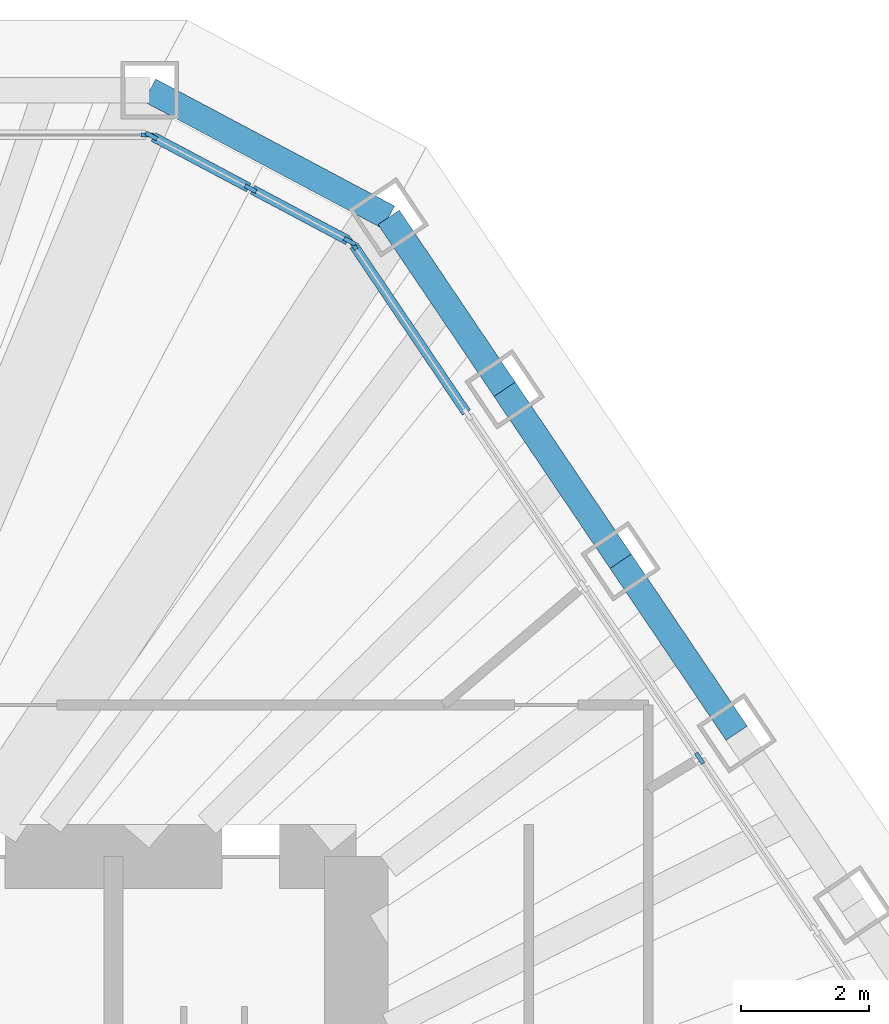
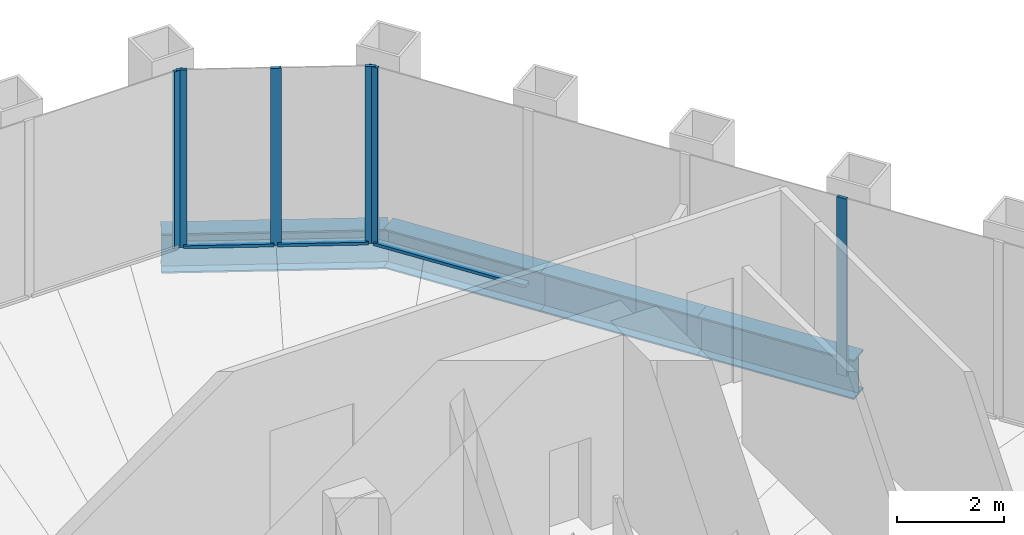
# One storey, part 8 of 14: 9 members, 4 beams, 3 elements without a shape of their own.
"""IFC4 building model written with IfcOpenShell, lengths in metres."""

from ifc_helpers import new_model, si_unit, direction, frame, origin, origin_2d, place, context, subcontext, project, spatial, rectangle, i_section, extrude, material, material_profile, profile_set, type_object, element, aggregate, save


model = new_model("IFC4")

# Units and contexts
model_context = context("Model", 3, precision=1e-05, world=origin(), true_north=direction((0.0, 1.0)))
body_context = subcontext(model_context, "Body", "Model", "MODEL_VIEW")
ifc_project = project(units=[si_unit("LENGTHUNIT", "METRE"), si_unit("AREAUNIT", "SQUARE_METRE"), si_unit("VOLUMEUNIT", "CUBIC_METRE"), si_unit("PLANEANGLEUNIT", "RADIAN"), si_unit("MASSUNIT", "GRAM", prefix="KILO")], contexts=[model_context])

# Site, building, storey
site_placement = place(None, origin())
site = spatial("IfcSite", under=ifc_project, at=site_placement, CompositionType="ELEMENT")
building_placement = place(site_placement, origin())
building = spatial("IfcBuilding", under=site, at=building_placement, Name="Qingtian Harvest Tower", CompositionType="ELEMENT")
storey_placement = place(building_placement, frame((0.0, 0.0, 299.800048828125)))
storey = spatial("IfcBuildingStorey", under=building, at=storey_placement, Name="L66", CompositionType="ELEMENT", Elevation=299.800048828125)

# Curtain wall, member
ifc_material_1 = material(Name="Bronze-anodised aluminium curtain wall", Category="aluminium")
curtain_wall_type = type_object("IfcCurtainWallType", Name="Curtain wall CW5 upper office", PredefinedType="USERDEFINED", material=ifc_material_1)
curtain_wall_1_placement = place(storey_placement, origin())
curtain_wall_1 = element("IfcCurtainWall", 1, at=curtain_wall_1_placement, inside=storey, type_object=curtain_wall_type, Name="Curtain wall CW5 L66 N0-5", ObjectType="RECESSED CURTAIN WALL", PredefinedType="USERDEFINED")
ifc_material_2 = material(Name="Bronze-anodised aluminium mullion", Category="aluminium")
ifc_material_profile_1 = material_profile(ifc_material_2, rectangle(XDim=0.06494140625, YDim=0.199951171875, at=origin_2d()), Name="AL 65x200")
ifc_profile_set_1 = profile_set([ifc_material_profile_1], Name="Bronze-anodised aluminium mullion")
member_type_1 = type_object("IfcMemberType", Name="Mullion CWM 65x200", PredefinedType="MULLION", material=ifc_profile_set_1)
member_1_placement = place(storey_placement, frame((8.7333984375, 20.300048828125, 0.0), z_axis=(0.0, 0.0, 1.0), x_axis=(0.0, 1.0, 0.0)))
member_1 = element("IfcMember", 2, at=member_1_placement, type_object=member_type_1, Name="CW5 mullion 7", PredefinedType="MULLION", context=body_context, shape_type="SweptSolid", body=[
    extrude(rectangle(XDim=0.06494140625, YDim=0.199951171875, at=origin_2d()), origin(), (0.0, 0.0, 1.0), 4.030029296875),
])
aggregate(curtain_wall_1, [member_1])

# Curtain wall, members
curtain_wall_2_placement = place(storey_placement, origin())
curtain_wall_2 = element("IfcCurtainWall", 3, at=curtain_wall_2_placement, inside=storey, type_object=curtain_wall_type, Name="Curtain wall CW5 L66 NC", ObjectType="RECESSED CURTAIN WALL", PredefinedType="USERDEFINED")
member_2_placement = place(storey_placement, frame((8.794677734375, 20.28466796875, 0.0), z_axis=(0.0, 0.0, 1.0), x_axis=(0.469471562786, 0.882947592859, 0.0)))
member_2 = element("IfcMember", 4, at=member_2_placement, type_object=member_type_1, Name="CW5 mullion 1", PredefinedType="MULLION", context=body_context, shape_type="SweptSolid", body=[
    extrude(rectangle(XDim=0.06494140625, YDim=0.199951171875, at=origin_2d()), origin(), (0.0, 0.0, 1.0), 4.030029296875),
])
member_3_placement = place(storey_placement, frame((10.3466796875, 19.45947265625, 0.0), z_axis=(0.0, 0.0, 1.0), x_axis=(0.469471562786, 0.882947592859, 0.0)))
member_3 = element("IfcMember", 5, at=member_3_placement, type_object=member_type_1, Name="CW5 mullion 2", PredefinedType="MULLION", context=body_context, shape_type="SweptSolid", body=[
    extrude(rectangle(XDim=0.06494140625, YDim=0.199951171875, at=origin_2d()), origin(), (0.0, 0.0, 1.0), 4.030029296875),
])
member_4_placement = place(storey_placement, frame((11.89892578125, 18.634033203125, 0.0), z_axis=(0.0, 0.0, 1.0), x_axis=(0.469471562786, 0.882947592859, 0.0)))
member_4 = element("IfcMember", 6, at=member_4_placement, type_object=member_type_1, Name="CW5 mullion 3", PredefinedType="MULLION", context=body_context, shape_type="SweptSolid", body=[
    extrude(rectangle(XDim=0.06494140625, YDim=0.199951171875, at=origin_2d()), origin(), (0.0, 0.0, 1.0), 4.030029296875),
])

curtain_wall_3_placement = place(storey_placement, origin())
curtain_wall_3 = element("IfcCurtainWall", 7, at=curtain_wall_3_placement, inside=storey, type_object=curtain_wall_type, Name="Curtain wall CW5 L66 NE0-5", ObjectType="RECESSED CURTAIN WALL", PredefinedType="USERDEFINED")
member_5_placement = place(storey_placement, frame((11.94580078125, 18.592041015625, 0.0), z_axis=(0.0, 0.0, 1.0), x_axis=(0.829037572555, 0.559192903471, 0.0)))
member_5 = element("IfcMember", 8, at=member_5_placement, type_object=member_type_1, Name="CW5 mullion 1", PredefinedType="MULLION", context=body_context, shape_type="SweptSolid", body=[
    extrude(rectangle(XDim=0.06494140625, YDim=0.199951171875, at=origin_2d()), origin(), (0.0, 0.0, 1.0), 4.030029296875),
])
member_6_placement = place(storey_placement, frame((17.37646484375, 10.540771484375, 0.0), z_axis=(0.0, 0.0, 1.0), x_axis=(0.829037572555, 0.559192903471, 0.0)))
member_6 = element("IfcMember", 9, at=member_6_placement, type_object=member_type_1, Name="CW5 mullion 4", PredefinedType="MULLION", context=body_context, shape_type="SweptSolid", body=[
    extrude(rectangle(XDim=0.06494140625, YDim=0.199951171875, at=origin_2d()), origin(), (0.0, 0.0, 1.0), 4.030029296875),
])

# Beams
ifc_material_3 = material(Name="Steel SN490B", Category="steel")
ifc_material_profile_2 = material_profile(ifc_material_3, i_section(OverallWidth=0.39990234375, OverallDepth=0.89990234375, WebThickness=0.01904296875, FlangeThickness=0.035888671875, at=origin_2d()), Name="H900x400x19x36")
ifc_profile_set_2 = profile_set([ifc_material_profile_2], Name="Steel SN490B")
beam_type = type_object("IfcBeamType", Name="Spandrel beam SB4 H900x400x19x36", PredefinedType="SPANDREL", material=ifc_profile_set_2)
beam_1_placement = place(storey_placement, frame((8.765869140625, 21.0, -0.449951171875), z_axis=(0.882948599748, -0.469469669099, 0.0), x_axis=(0.469469669099, 0.882948599748, 0.0)))
element("IfcBeam", 10, at=beam_1_placement, inside=storey, type_object=beam_type, Name="Spandrel SB4 NC", PredefinedType="SPANDREL", context=body_context, shape_type="SweptSolid", body=[
    extrude(i_section(OverallWidth=0.39990234375, OverallDepth=0.89990234375, WebThickness=0.01904296875, FlangeThickness=0.035888671875, at=origin_2d()), origin(), (0.0, 0.0, 1.0), 4.23828125),
])
beam_2_placement = place(storey_placement, frame((12.508056640625, 19.01025390625, -0.449951171875), z_axis=(0.559184924833, -0.829042954158, 0.0), x_axis=(0.829042954158, 0.559184924833, 0.0)))
element("IfcBeam", 11, at=beam_2_placement, inside=storey, type_object=beam_type, Name="Spandrel SB4 NE0", PredefinedType="SPANDREL", context=body_context, shape_type="SweptSolid", body=[
    extrude(i_section(OverallWidth=0.39990234375, OverallDepth=0.89990234375, WebThickness=0.01904296875, FlangeThickness=0.035888671875, at=origin_2d()), origin(), (0.0, 0.0, 1.0), 3.247802734375),
])
beam_3_placement = place(storey_placement, frame((14.32421875, 16.317626953125, -0.449951171875), z_axis=(0.559201740147, -0.829031612073, 0.0), x_axis=(0.829031612073, 0.559201740147, 0.0)))
element("IfcBeam", 12, at=beam_3_placement, inside=storey, type_object=beam_type, Name="Spandrel SB4 NE1", PredefinedType="SPANDREL", context=body_context, shape_type="SweptSolid", body=[
    extrude(i_section(OverallWidth=0.39990234375, OverallDepth=0.89990234375, WebThickness=0.01904296875, FlangeThickness=0.035888671875, at=origin_2d()), origin(), (0.0, 0.0, 1.0), 3.248291015625),
])
beam_4_placement = place(storey_placement, frame((16.140625, 13.624755859375, -0.449951171875), z_axis=(0.559184924833, -0.829042954158, 0.0), x_axis=(0.829042954158, 0.559184924833, 0.0)))
element("IfcBeam", 13, at=beam_4_placement, inside=storey, type_object=beam_type, Name="Spandrel SB4 NE2", PredefinedType="SPANDREL", context=body_context, shape_type="SweptSolid", body=[
    extrude(i_section(OverallWidth=0.39990234375, OverallDepth=0.89990234375, WebThickness=0.01904296875, FlangeThickness=0.035888671875, at=origin_2d()), origin(), (0.0, 0.0, 1.0), 3.247802734375),
])

# Member
ifc_material_4 = material(Name="Bronze-anodised aluminium transom", Category="aluminium")
ifc_material_profile_3 = material_profile(ifc_material_4, rectangle(XDim=0.14990234375, YDim=0.06494140625, at=origin_2d()), Name="AL 65x150")
ifc_profile_set_3 = profile_set([ifc_material_profile_3], Name="Bronze-anodised aluminium transom")
member_type_2 = type_object("IfcMemberType", Name="Transom CWT 65x150", PredefinedType="USERDEFINED", material=ifc_profile_set_3)
member_7_placement = place(storey_placement, frame((8.8232421875, 20.26953125, 0.032470703125), z_axis=(0.882927080927, -0.469510138086, 0.0), x_axis=(0.469510138086, 0.882927080927, 0.0)))
member_7 = element("IfcMember", 14, at=member_7_placement, type_object=member_type_2, Name="CW5 transom 1.1", ObjectType="TRANSOM", PredefinedType="USERDEFINED", context=body_context, shape_type="SweptSolid", body=[
    extrude(rectangle(XDim=0.14990234375, YDim=0.06494140625, at=origin_2d()), origin(), (0.0, 0.0, 1.0), 1.693115234375),
])

member_8_placement = place(storey_placement, frame((10.37548828125, 19.444091796875, 0.032470703125), z_axis=(0.882986854304, -0.469397715297, 0.0), x_axis=(0.469397715297, 0.882986854304, 0.0)))
member_8 = element("IfcMember", 15, at=member_8_placement, type_object=member_type_2, Name="CW5 transom 2.1", ObjectType="TRANSOM", PredefinedType="USERDEFINED", context=body_context, shape_type="SweptSolid", body=[
    extrude(rectangle(XDim=0.14990234375, YDim=0.06494140625, at=origin_2d()), origin(), (0.0, 0.0, 1.0), 1.69287109375),
])

aggregate(curtain_wall_2, [member_2, member_3, member_4, member_7, member_8])

member_9_placement = place(storey_placement, frame((11.9638671875, 18.56494140625, 0.032470703125), z_axis=(0.559251907839, -0.828997770551, 0.0), x_axis=(0.828997770551, 0.559251907839, 0.0)))
member_9 = element("IfcMember", 16, at=member_9_placement, type_object=member_type_2, Name="CW5 transom 1.1", ObjectType="TRANSOM", PredefinedType="USERDEFINED", context=body_context, shape_type="SweptSolid", body=[
    extrude(rectangle(XDim=0.14990234375, YDim=0.06494140625, at=origin_2d()), origin(), (0.0, 0.0, 1.0), 3.150634765625),
])

aggregate(curtain_wall_3, [member_5, member_6, member_9])

save(model, "model.ifc")
